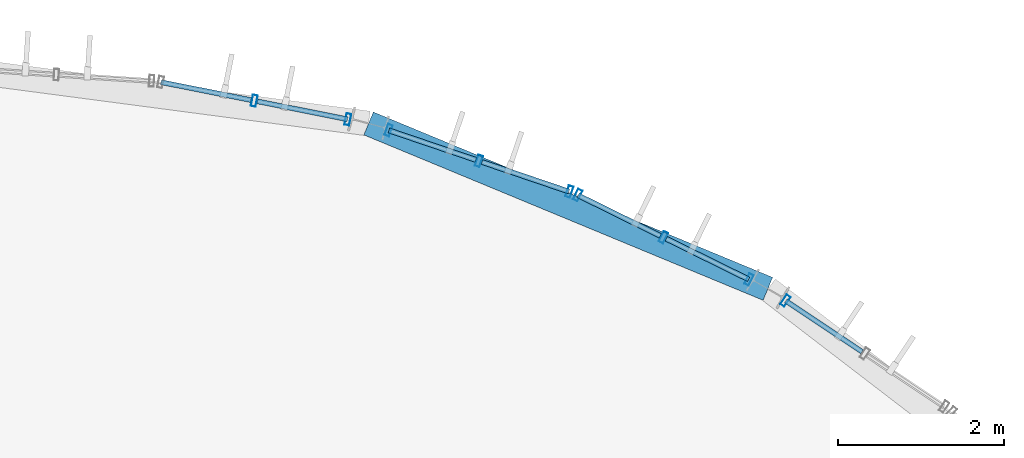
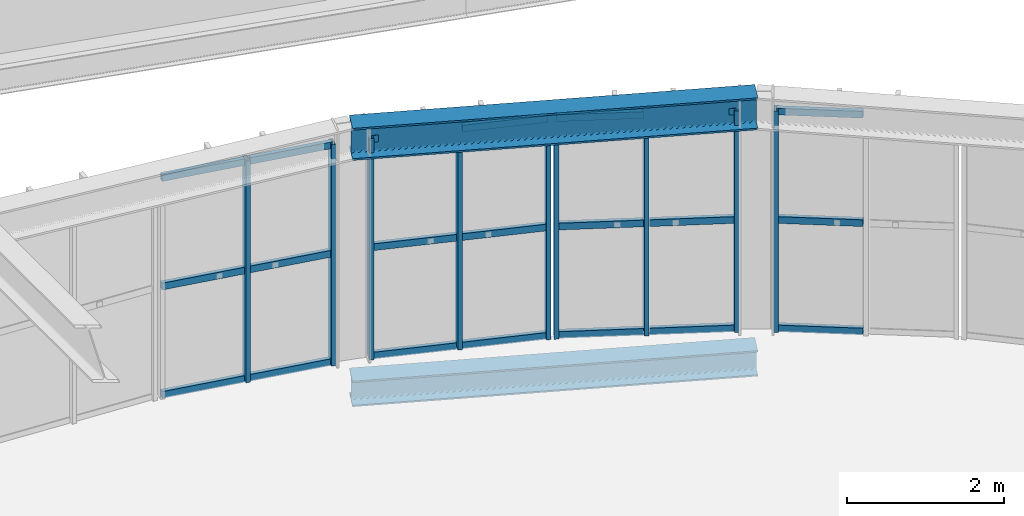
# One storey, part 74 of 152: 30 members, 2 beams, 4 elements without a shape of their own.
"""IFC4 building model written with IfcOpenShell, lengths in metres."""

from ifc_helpers import new_model, si_unit, derived_unit, direction, frame, origin, origin_2d, place, context, subcontext, project, spatial, hollow_rectangle, i_section, extrude, material, material_profile, profile_set, type_object, element, aggregate, save


model = new_model("IFC4")

# Units and contexts
model_context = context("Model", 3, precision=1e-05, world=origin(), true_north=direction((0.0, 1.0)))
body_context = subcontext(model_context, "Body", "Model", "MODEL_VIEW")
ifc_project = project(units=[si_unit("LENGTHUNIT", "METRE"), si_unit("AREAUNIT", "SQUARE_METRE"), si_unit("VOLUMEUNIT", "CUBIC_METRE"), si_unit("PLANEANGLEUNIT", "RADIAN"), si_unit("MASSUNIT", "GRAM", prefix="KILO"), si_unit("THERMODYNAMICTEMPERATUREUNIT", "KELVIN"), si_unit("TIMEUNIT", "SECOND"), derived_unit("THERMALTRANSMITTANCEUNIT", [(si_unit("MASSUNIT", "GRAM", prefix="KILO"), 1), (si_unit("THERMODYNAMICTEMPERATUREUNIT", "KELVIN"), -1), (si_unit("TIMEUNIT", "SECOND"), -3)])], contexts=[model_context])

# Site, building, storey
site_placement = place(None, origin())
site = spatial("IfcSite", under=ifc_project, at=site_placement, CompositionType="ELEMENT")
building_placement = place(site_placement, origin())
building = spatial("IfcBuilding", under=site, at=building_placement, Name="Cambertide Market Hall", CompositionType="ELEMENT")
storey_placement = place(building_placement, frame((0.0, 0.0, 5.39990234375)))
storey = spatial("IfcBuildingStorey", under=building, at=storey_placement, Name="L02", CompositionType="ELEMENT", Elevation=5.39990234375)

# Curtain wall, member
ifc_material_1 = material(Name="Marine Anodized Aluminium 6063-T6 AA25", Category="aluminium")
curtain_wall_type = type_object("IfcCurtainWallType", Name="Lantern Apse Chord Upper Curtain Wall", PredefinedType="USERDEFINED", material=ifc_material_1)
curtain_wall_1_placement = place(storey_placement, origin())
curtain_wall_1 = element("IfcCurtainWall", 1, at=curtain_wall_1_placement, inside=storey, type_object=curtain_wall_type, Name="Level 2 Curtain Wall CW-V1AE-L02-20", ObjectType="UNITIZED CURTAIN WALL", PredefinedType="USERDEFINED")
ifc_material_2 = material(Name="Champagne Marine Anodized Aluminium 6063-T6 AA25", Category="aluminium")
ifc_material_profile_1 = material_profile(ifc_material_2, hollow_rectangle(XDim=0.06005859375, YDim=0.139892578125, WallThickness=0.00341796875, at=origin_2d()), Name="ALU MULLION 60x140")
ifc_profile_set_1 = profile_set([ifc_material_profile_1], Name="Champagne Marine Anodized Aluminium 6063-T6 AA25")
member_type_1 = type_object("IfcMemberType", Name="Curtain Wall Mullion ALU MULLION 60x140", PredefinedType="MULLION", material=ifc_profile_set_1)
member_1_placement = place(storey_placement, frame((115.2119140625, 89.178955078125, 0.0), z_axis=(0.0, 0.0, 1.0), x_axis=(0.831469709481, -0.555570087582, 0.0)))
member_1 = element("IfcMember", 2, at=member_1_placement, type_object=member_type_1, Name="CW-V1AE-L02-20 Mullion 1", PredefinedType="MULLION", context=body_context, shape_type="SweptSolid", body=[
    extrude(hollow_rectangle(XDim=0.06005859375, YDim=0.139892578125, WallThickness=0.00341796875, at=origin_2d()), origin(), (0.0, 0.0, 1.0), 3.4501953125),
])

# Curtain wall, members
curtain_wall_2_placement = place(storey_placement, origin())
curtain_wall_2 = element("IfcCurtainWall", 3, at=curtain_wall_2_placement, inside=storey, type_object=curtain_wall_type, Name="Level 2 Curtain Wall CW-V1AE-L02-21", ObjectType="UNITIZED CURTAIN WALL", PredefinedType="USERDEFINED")
member_2_placement = place(storey_placement, frame((112.702880859375, 90.453369140625, 0.0), z_axis=(0.0, 0.0, 1.0), x_axis=(0.896872650645, -0.442288874522, 0.0)))
member_2 = element("IfcMember", 4, at=member_2_placement, type_object=member_type_1, Name="CW-V1AE-L02-21 Mullion 1", PredefinedType="MULLION", context=body_context, shape_type="SweptSolid", body=[
    extrude(hollow_rectangle(XDim=0.06005859375, YDim=0.139892578125, WallThickness=0.00341796875, at=origin_2d()), origin(), (0.0, 0.0, 1.0), 3.4501953125),
])
member_3_placement = place(storey_placement, frame((113.737060546875, 89.943359375, 0.0), z_axis=(0.0, 0.0, 1.0), x_axis=(0.896872650645, -0.442288874522, 0.0)))
member_3 = element("IfcMember", 5, at=member_3_placement, type_object=member_type_1, Name="CW-V1AE-L02-21 Mullion 2", PredefinedType="MULLION", context=body_context, shape_type="SweptSolid", body=[
    extrude(hollow_rectangle(XDim=0.06005859375, YDim=0.139892578125, WallThickness=0.00341796875, at=origin_2d()), origin(), (0.0, 0.0, 1.0), 3.4501953125),
])
member_4_placement = place(storey_placement, frame((114.771240234375, 89.433349609375, 0.0), z_axis=(0.0, 0.0, 1.0), x_axis=(0.896872650645, -0.442288874522, 0.0)))
member_4 = element("IfcMember", 6, at=member_4_placement, type_object=member_type_1, Name="CW-V1AE-L02-21 Mullion 3", PredefinedType="MULLION", context=body_context, shape_type="SweptSolid", body=[
    extrude(hollow_rectangle(XDim=0.06005859375, YDim=0.139892578125, WallThickness=0.00341796875, at=origin_2d()), origin(), (0.0, 0.0, 1.0), 3.4501953125),
])

curtain_wall_3_placement = place(storey_placement, origin())
curtain_wall_3 = element("IfcCurtainWall", 7, at=curtain_wall_3_placement, inside=storey, type_object=curtain_wall_type, Name="Level 2 Curtain Wall CW-V1AE-L02-22", ObjectType="UNITIZED CURTAIN WALL", PredefinedType="USERDEFINED")
member_5_placement = place(storey_placement, frame((110.41796875, 91.236572265625, 0.0), z_axis=(0.0, 0.0, 1.0), x_axis=(0.94693012508, -0.32143947831, 0.0)))
member_5 = element("IfcMember", 8, at=member_5_placement, type_object=member_type_1, Name="CW-V1AE-L02-22 Mullion 1", PredefinedType="MULLION", context=body_context, shape_type="SweptSolid", body=[
    extrude(hollow_rectangle(XDim=0.06005859375, YDim=0.139892578125, WallThickness=0.00341796875, at=origin_2d()), origin(), (0.0, 0.0, 1.0), 3.4501953125),
])
member_6_placement = place(storey_placement, frame((111.509765625, 90.865966796875, 0.0), z_axis=(0.0, 0.0, 1.0), x_axis=(0.94693012508, -0.32143947831, 0.0)))
member_6 = element("IfcMember", 9, at=member_6_placement, type_object=member_type_1, Name="CW-V1AE-L02-22 Mullion 2", PredefinedType="MULLION", context=body_context, shape_type="SweptSolid", body=[
    extrude(hollow_rectangle(XDim=0.06005859375, YDim=0.139892578125, WallThickness=0.00341796875, at=origin_2d()), origin(), (0.0, 0.0, 1.0), 3.4501953125),
])
member_7_placement = place(storey_placement, frame((112.6015625, 90.495361328125, 0.0), z_axis=(0.0, 0.0, 1.0), x_axis=(0.94693012508, -0.32143947831, 0.0)))
member_7 = element("IfcMember", 10, at=member_7_placement, type_object=member_type_1, Name="CW-V1AE-L02-22 Mullion 3", PredefinedType="MULLION", context=body_context, shape_type="SweptSolid", body=[
    extrude(hollow_rectangle(XDim=0.06005859375, YDim=0.139892578125, WallThickness=0.00341796875, at=origin_2d()), origin(), (0.0, 0.0, 1.0), 3.4501953125),
])

curtain_wall_4_placement = place(storey_placement, origin())
curtain_wall_4 = element("IfcCurtainWall", 11, at=curtain_wall_4_placement, inside=storey, type_object=curtain_wall_type, Name="Level 2 Curtain Wall CW-V1AE-L02-23", ObjectType="UNITIZED CURTAIN WALL", PredefinedType="USERDEFINED")
member_8_placement = place(storey_placement, frame((108.79541015625, 91.59326171875, 0.0), z_axis=(0.0, 0.0, 1.0), x_axis=(0.980785330885, -0.195090068226, 0.0)))
member_8 = element("IfcMember", 12, at=member_8_placement, type_object=member_type_1, Name="CW-V1AE-L02-23 Mullion 2", PredefinedType="MULLION", context=body_context, shape_type="SweptSolid", body=[
    extrude(hollow_rectangle(XDim=0.06005859375, YDim=0.139892578125, WallThickness=0.00341796875, at=origin_2d()), origin(), (0.0, 0.0, 1.0), 3.4501953125),
])
member_9_placement = place(storey_placement, frame((109.92626953125, 91.3681640625, 0.0), z_axis=(0.0, 0.0, 1.0), x_axis=(0.980785330885, -0.195090068226, 0.0)))
member_9 = element("IfcMember", 13, at=member_9_placement, type_object=member_type_1, Name="CW-V1AE-L02-23 Mullion 3", PredefinedType="MULLION", context=body_context, shape_type="SweptSolid", body=[
    extrude(hollow_rectangle(XDim=0.06005859375, YDim=0.139892578125, WallThickness=0.00341796875, at=origin_2d()), origin(), (0.0, 0.0, 1.0), 3.4501953125),
])

# Member
ifc_material_3 = material(Name="Champagne Marine Anodized Aluminium 6063-T6 AA25", Category="aluminium")
ifc_material_profile_2 = material_profile(ifc_material_3, hollow_rectangle(XDim=0.06005859375, YDim=0.10498046875, WallThickness=0.0029296875, at=origin_2d()), Name="ALU TRANSOM 60x105")
ifc_profile_set_2 = profile_set([ifc_material_profile_2], Name="Champagne Marine Anodized Aluminium 6063-T6 AA25")
member_type_2 = type_object("IfcMemberType", Name="Curtain Wall Transom ALU TRANSOM 60x105", PredefinedType="USERDEFINED", material=ifc_profile_set_2)
member_10_placement = place(storey_placement, frame((115.216064453125, 89.176025390625, 0.03515625), z_axis=(0.83154148111, -0.555462658685, 0.0), x_axis=(0.555462658685, 0.83154148111, 0.0)))
member_10 = element("IfcMember", 14, at=member_10_placement, type_object=member_type_2, Name="CW-V1AE-L02-20 Transom 1-1", ObjectType="TRANSOM", PredefinedType="USERDEFINED", context=body_context, shape_type="SweptSolid", body=[
    extrude(hollow_rectangle(XDim=0.06005859375, YDim=0.10498046875, WallThickness=0.0029296875, at=origin_2d()), origin(), (0.0, 0.0, 1.0), 1.108154296875),
])

member_11_placement = place(storey_placement, frame((115.216064453125, 89.176025390625, 1.72509765625), z_axis=(0.83154148111, -0.555462658685, 0.0), x_axis=(0.555462658685, 0.83154148111, 0.0)))
member_11 = element("IfcMember", 15, at=member_11_placement, type_object=member_type_2, Name="CW-V1AE-L02-20 Transom 2-1", ObjectType="TRANSOM", PredefinedType="USERDEFINED", context=body_context, shape_type="SweptSolid", body=[
    extrude(hollow_rectangle(XDim=0.06005859375, YDim=0.10498046875, WallThickness=0.0029296875, at=origin_2d()), origin(), (0.0, 0.0, 1.0), 1.108154296875),
])

member_12_placement = place(storey_placement, frame((115.216064453125, 89.176025390625, 3.4150390625), z_axis=(0.83154148111, -0.555462658685, 0.0), x_axis=(0.555462658685, 0.83154148111, 0.0)))
member_12 = element("IfcMember", 16, at=member_12_placement, type_object=member_type_2, Name="CW-V1AE-L02-20 Transom 3-1", ObjectType="TRANSOM", PredefinedType="USERDEFINED", context=body_context, shape_type="SweptSolid", body=[
    extrude(hollow_rectangle(XDim=0.06005859375, YDim=0.10498046875, WallThickness=0.0029296875, at=origin_2d()), origin(), (0.0, 0.0, 1.0), 1.108154296875),
])

aggregate(curtain_wall_1, [member_1, member_10, member_11, member_12])

member_13_placement = place(storey_placement, frame((112.70751953125, 90.451171875, 0.03515625), z_axis=(0.896794227794, -0.44244786472, 0.0), x_axis=(0.44244786472, 0.896794227794, 0.0)))
member_13 = element("IfcMember", 17, at=member_13_placement, type_object=member_type_2, Name="CW-V1AE-L02-21 Transom 1-1", ObjectType="TRANSOM", PredefinedType="USERDEFINED", context=body_context, shape_type="SweptSolid", body=[
    extrude(hollow_rectangle(XDim=0.06005859375, YDim=0.10498046875, WallThickness=0.0029296875, at=origin_2d()), origin(), (0.0, 0.0, 1.0), 1.10791015625),
])

member_14_placement = place(storey_placement, frame((113.77294921875, 89.925537109375, 0.03515625), z_axis=(0.896924738521, -0.442183235129, 0.0), x_axis=(0.442183235129, 0.896924738521, 0.0)))
member_14 = element("IfcMember", 18, at=member_14_placement, type_object=member_type_2, Name="CW-V1AE-L02-21 Transom 1-2", ObjectType="TRANSOM", PredefinedType="USERDEFINED", context=body_context, shape_type="SweptSolid", body=[
    extrude(hollow_rectangle(XDim=0.06005859375, YDim=0.10498046875, WallThickness=0.0029296875, at=origin_2d()), origin(), (0.0, 0.0, 1.0), 1.108154296875),
])

member_15_placement = place(storey_placement, frame((112.70751953125, 90.451171875, 1.72509765625), z_axis=(0.896794227794, -0.44244786472, 0.0), x_axis=(0.44244786472, 0.896794227794, 0.0)))
member_15 = element("IfcMember", 19, at=member_15_placement, type_object=member_type_2, Name="CW-V1AE-L02-21 Transom 2-1", ObjectType="TRANSOM", PredefinedType="USERDEFINED", context=body_context, shape_type="SweptSolid", body=[
    extrude(hollow_rectangle(XDim=0.06005859375, YDim=0.10498046875, WallThickness=0.0029296875, at=origin_2d()), origin(), (0.0, 0.0, 1.0), 1.10791015625),
])

member_16_placement = place(storey_placement, frame((113.77294921875, 89.925537109375, 1.72509765625), z_axis=(0.896924738521, -0.442183235129, 0.0), x_axis=(0.442183235129, 0.896924738521, 0.0)))
member_16 = element("IfcMember", 20, at=member_16_placement, type_object=member_type_2, Name="CW-V1AE-L02-21 Transom 2-2", ObjectType="TRANSOM", PredefinedType="USERDEFINED", context=body_context, shape_type="SweptSolid", body=[
    extrude(hollow_rectangle(XDim=0.06005859375, YDim=0.10498046875, WallThickness=0.0029296875, at=origin_2d()), origin(), (0.0, 0.0, 1.0), 1.108154296875),
])

member_17_placement = place(storey_placement, frame((112.70751953125, 90.451171875, 3.4150390625), z_axis=(0.896794227794, -0.44244786472, 0.0), x_axis=(0.44244786472, 0.896794227794, 0.0)))
member_17 = element("IfcMember", 21, at=member_17_placement, type_object=member_type_2, Name="CW-V1AE-L02-21 Transom 3-1", ObjectType="TRANSOM", PredefinedType="USERDEFINED", context=body_context, shape_type="SweptSolid", body=[
    extrude(hollow_rectangle(XDim=0.06005859375, YDim=0.10498046875, WallThickness=0.0029296875, at=origin_2d()), origin(), (0.0, 0.0, 1.0), 1.10791015625),
])

member_18_placement = place(storey_placement, frame((113.77294921875, 89.925537109375, 3.4150390625), z_axis=(0.896924738521, -0.442183235129, 0.0), x_axis=(0.442183235129, 0.896924738521, 0.0)))
member_18 = element("IfcMember", 22, at=member_18_placement, type_object=member_type_2, Name="CW-V1AE-L02-21 Transom 3-2", ObjectType="TRANSOM", PredefinedType="USERDEFINED", context=body_context, shape_type="SweptSolid", body=[
    extrude(hollow_rectangle(XDim=0.06005859375, YDim=0.10498046875, WallThickness=0.0029296875, at=origin_2d()), origin(), (0.0, 0.0, 1.0), 1.108154296875),
])

aggregate(curtain_wall_2, [member_2, member_3, member_4, member_13, member_14, member_15, member_16, member_17, member_18])

member_19_placement = place(storey_placement, frame((110.422607421875, 91.23486328125, 0.03515625), z_axis=(0.946928413037, -0.321444521782, 0.0), x_axis=(0.321444521782, 0.946928413037, 0.0)))
member_19 = element("IfcMember", 23, at=member_19_placement, type_object=member_type_2, Name="CW-V1AE-L02-22 Transom 1-1", ObjectType="TRANSOM", PredefinedType="USERDEFINED", context=body_context, shape_type="SweptSolid", body=[
    extrude(hollow_rectangle(XDim=0.06005859375, YDim=0.10498046875, WallThickness=0.0029296875, at=origin_2d()), origin(), (0.0, 0.0, 1.0), 1.108154296875),
])

member_20_placement = place(storey_placement, frame((111.547607421875, 90.85302734375, 0.03515625), z_axis=(0.946928413037, -0.321444521782, 0.0), x_axis=(0.321444521782, 0.946928413037, 0.0)))
member_20 = element("IfcMember", 24, at=member_20_placement, type_object=member_type_2, Name="CW-V1AE-L02-22 Transom 1-2", ObjectType="TRANSOM", PredefinedType="USERDEFINED", context=body_context, shape_type="SweptSolid", body=[
    extrude(hollow_rectangle(XDim=0.06005859375, YDim=0.10498046875, WallThickness=0.0029296875, at=origin_2d()), origin(), (0.0, 0.0, 1.0), 1.108154296875),
])

member_21_placement = place(storey_placement, frame((110.422607421875, 91.23486328125, 1.72509765625), z_axis=(0.946928413037, -0.321444521782, 0.0), x_axis=(0.321444521782, 0.946928413037, 0.0)))
member_21 = element("IfcMember", 25, at=member_21_placement, type_object=member_type_2, Name="CW-V1AE-L02-22 Transom 2-1", ObjectType="TRANSOM", PredefinedType="USERDEFINED", context=body_context, shape_type="SweptSolid", body=[
    extrude(hollow_rectangle(XDim=0.06005859375, YDim=0.10498046875, WallThickness=0.0029296875, at=origin_2d()), origin(), (0.0, 0.0, 1.0), 1.108154296875),
])

member_22_placement = place(storey_placement, frame((111.547607421875, 90.85302734375, 1.72509765625), z_axis=(0.946928413037, -0.321444521782, 0.0), x_axis=(0.321444521782, 0.946928413037, 0.0)))
member_22 = element("IfcMember", 26, at=member_22_placement, type_object=member_type_2, Name="CW-V1AE-L02-22 Transom 2-2", ObjectType="TRANSOM", PredefinedType="USERDEFINED", context=body_context, shape_type="SweptSolid", body=[
    extrude(hollow_rectangle(XDim=0.06005859375, YDim=0.10498046875, WallThickness=0.0029296875, at=origin_2d()), origin(), (0.0, 0.0, 1.0), 1.108154296875),
])

member_23_placement = place(storey_placement, frame((110.422607421875, 91.23486328125, 3.4150390625), z_axis=(0.946928413037, -0.321444521782, 0.0), x_axis=(0.321444521782, 0.946928413037, 0.0)))
member_23 = element("IfcMember", 27, at=member_23_placement, type_object=member_type_2, Name="CW-V1AE-L02-22 Transom 3-1", ObjectType="TRANSOM", PredefinedType="USERDEFINED", context=body_context, shape_type="SweptSolid", body=[
    extrude(hollow_rectangle(XDim=0.06005859375, YDim=0.10498046875, WallThickness=0.0029296875, at=origin_2d()), origin(), (0.0, 0.0, 1.0), 1.108154296875),
])

member_24_placement = place(storey_placement, frame((111.547607421875, 90.85302734375, 3.4150390625), z_axis=(0.946928413037, -0.321444521782, 0.0), x_axis=(0.321444521782, 0.946928413037, 0.0)))
member_24 = element("IfcMember", 28, at=member_24_placement, type_object=member_type_2, Name="CW-V1AE-L02-22 Transom 3-2", ObjectType="TRANSOM", PredefinedType="USERDEFINED", context=body_context, shape_type="SweptSolid", body=[
    extrude(hollow_rectangle(XDim=0.06005859375, YDim=0.10498046875, WallThickness=0.0029296875, at=origin_2d()), origin(), (0.0, 0.0, 1.0), 1.108154296875),
])

aggregate(curtain_wall_3, [member_5, member_6, member_7, member_19, member_20, member_21, member_22, member_23, member_24])

member_25_placement = place(storey_placement, frame((107.66943359375, 91.817138671875, 0.03515625), z_axis=(0.980800411785, -0.195014235999, 0.0), x_axis=(0.195014235999, 0.980800411785, 0.0)))
member_25 = element("IfcMember", 29, at=member_25_placement, type_object=member_type_2, Name="CW-V1AE-L02-23 Transom 1-1", ObjectType="TRANSOM", PredefinedType="USERDEFINED", context=body_context, shape_type="SweptSolid", body=[
    extrude(hollow_rectangle(XDim=0.06005859375, YDim=0.10498046875, WallThickness=0.0029296875, at=origin_2d()), origin(), (0.0, 0.0, 1.0), 1.10791015625),
])

member_26_placement = place(storey_placement, frame((108.834716796875, 91.58544921875, 0.03515625), z_axis=(0.980758243369, -0.195226197175, 0.0), x_axis=(0.195226197175, 0.980758243369, 0.0)))
member_26 = element("IfcMember", 30, at=member_26_placement, type_object=member_type_2, Name="CW-V1AE-L02-23 Transom 1-2", ObjectType="TRANSOM", PredefinedType="USERDEFINED", context=body_context, shape_type="SweptSolid", body=[
    extrude(hollow_rectangle(XDim=0.06005859375, YDim=0.10498046875, WallThickness=0.0029296875, at=origin_2d()), origin(), (0.0, 0.0, 1.0), 1.10791015625),
])

member_27_placement = place(storey_placement, frame((107.66943359375, 91.817138671875, 1.72509765625), z_axis=(0.980800411785, -0.195014235999, 0.0), x_axis=(0.195014235999, 0.980800411785, 0.0)))
member_27 = element("IfcMember", 31, at=member_27_placement, type_object=member_type_2, Name="CW-V1AE-L02-23 Transom 2-1", ObjectType="TRANSOM", PredefinedType="USERDEFINED", context=body_context, shape_type="SweptSolid", body=[
    extrude(hollow_rectangle(XDim=0.06005859375, YDim=0.10498046875, WallThickness=0.0029296875, at=origin_2d()), origin(), (0.0, 0.0, 1.0), 1.10791015625),
])

member_28_placement = place(storey_placement, frame((108.834716796875, 91.58544921875, 1.72509765625), z_axis=(0.980758243369, -0.195226197175, 0.0), x_axis=(0.195226197175, 0.980758243369, 0.0)))
member_28 = element("IfcMember", 32, at=member_28_placement, type_object=member_type_2, Name="CW-V1AE-L02-23 Transom 2-2", ObjectType="TRANSOM", PredefinedType="USERDEFINED", context=body_context, shape_type="SweptSolid", body=[
    extrude(hollow_rectangle(XDim=0.06005859375, YDim=0.10498046875, WallThickness=0.0029296875, at=origin_2d()), origin(), (0.0, 0.0, 1.0), 1.10791015625),
])

member_29_placement = place(storey_placement, frame((107.66943359375, 91.817138671875, 3.4150390625), z_axis=(0.980800411785, -0.195014235999, 0.0), x_axis=(0.195014235999, 0.980800411785, 0.0)))
member_29 = element("IfcMember", 33, at=member_29_placement, type_object=member_type_2, Name="CW-V1AE-L02-23 Transom 3-1", ObjectType="TRANSOM", PredefinedType="USERDEFINED", context=body_context, shape_type="SweptSolid", body=[
    extrude(hollow_rectangle(XDim=0.06005859375, YDim=0.10498046875, WallThickness=0.0029296875, at=origin_2d()), origin(), (0.0, 0.0, 1.0), 1.10791015625),
])

member_30_placement = place(storey_placement, frame((108.834716796875, 91.58544921875, 3.4150390625), z_axis=(0.980758243369, -0.195226197175, 0.0), x_axis=(0.195226197175, 0.980758243369, 0.0)))
member_30 = element("IfcMember", 34, at=member_30_placement, type_object=member_type_2, Name="CW-V1AE-L02-23 Transom 3-2", ObjectType="TRANSOM", PredefinedType="USERDEFINED", context=body_context, shape_type="SweptSolid", body=[
    extrude(hollow_rectangle(XDim=0.06005859375, YDim=0.10498046875, WallThickness=0.0029296875, at=origin_2d()), origin(), (0.0, 0.0, 1.0), 1.10791015625),
])

aggregate(curtain_wall_4, [member_8, member_9, member_25, member_26, member_27, member_28, member_29, member_30])

# Beams
ifc_material_4 = material(Name="Steel S355", Category="steel")
ifc_material_profile_3 = material_profile(ifc_material_4, i_section(OverallWidth=0.300048828125, OverallDepth=0.5, WebThickness=0.014404296875, FlangeThickness=0.028076171875, FilletRadius=0.027099609375, at=origin_2d()), Name="HEB 500")
ifc_profile_set_3 = profile_set([ifc_material_profile_3], Name="Steel S355")
beam_type_1 = type_object("IfcBeamType", Name="Exterior Steel Girder HEB 500", PredefinedType="BEAM", material=ifc_profile_set_3)
beam_1_placement = place(storey_placement, frame((115.0, 89.320556640625, 3.4501953125), z_axis=(-0.923880054352, 0.382682172528, 0.0), x_axis=(-0.382682172528, -0.923880054352, 0.0)))
element("IfcBeam", 35, at=beam_1_placement, inside=storey, type_object=beam_type_1, Name="Level 2 Beam EAVE-V1AE-11", PredefinedType="BEAM", context=body_context, shape_type="SweptSolid", body=[
    extrude(i_section(OverallWidth=0.300048828125, OverallDepth=0.5, WebThickness=0.014404296875, FlangeThickness=0.028076171875, FilletRadius=0.027099609375, at=origin_2d()), origin(), (0.0, 0.0, 1.0), 5.22119140625),
])
ifc_material_5 = material(Name="Steel S355", Category="steel")
ifc_material_profile_4 = material_profile(ifc_material_5, i_section(OverallWidth=0.300048828125, OverallDepth=0.39990234375, WebThickness=0.013427734375, FlangeThickness=0.02392578125, FilletRadius=0.027099609375, at=origin_2d()), Name="HEB 400")
ifc_profile_set_4 = profile_set([ifc_material_profile_4], Name="Steel S355")
beam_type_2 = type_object("IfcBeamType", Name="Steel Girder HEB 400", PredefinedType="BEAM", material=ifc_profile_set_4)
beam_2_placement = place(storey_placement, frame((115.0, 89.320556640625, -0.43994140625), z_axis=(-0.923880054352, 0.382682172528, 0.0), x_axis=(-0.382682172528, -0.923880054352, 0.0)))
element("IfcBeam", 36, at=beam_2_placement, inside=storey, type_object=beam_type_2, Name="Level 2 Beam BM-V1AE-L02-11", PredefinedType="BEAM", context=body_context, shape_type="SweptSolid", body=[
    extrude(i_section(OverallWidth=0.300048828125, OverallDepth=0.39990234375, WebThickness=0.013427734375, FlangeThickness=0.02392578125, FilletRadius=0.027099609375, at=origin_2d()), origin(), (0.0, 0.0, 1.0), 5.22119140625),
])

save(model, "model.ifc")
